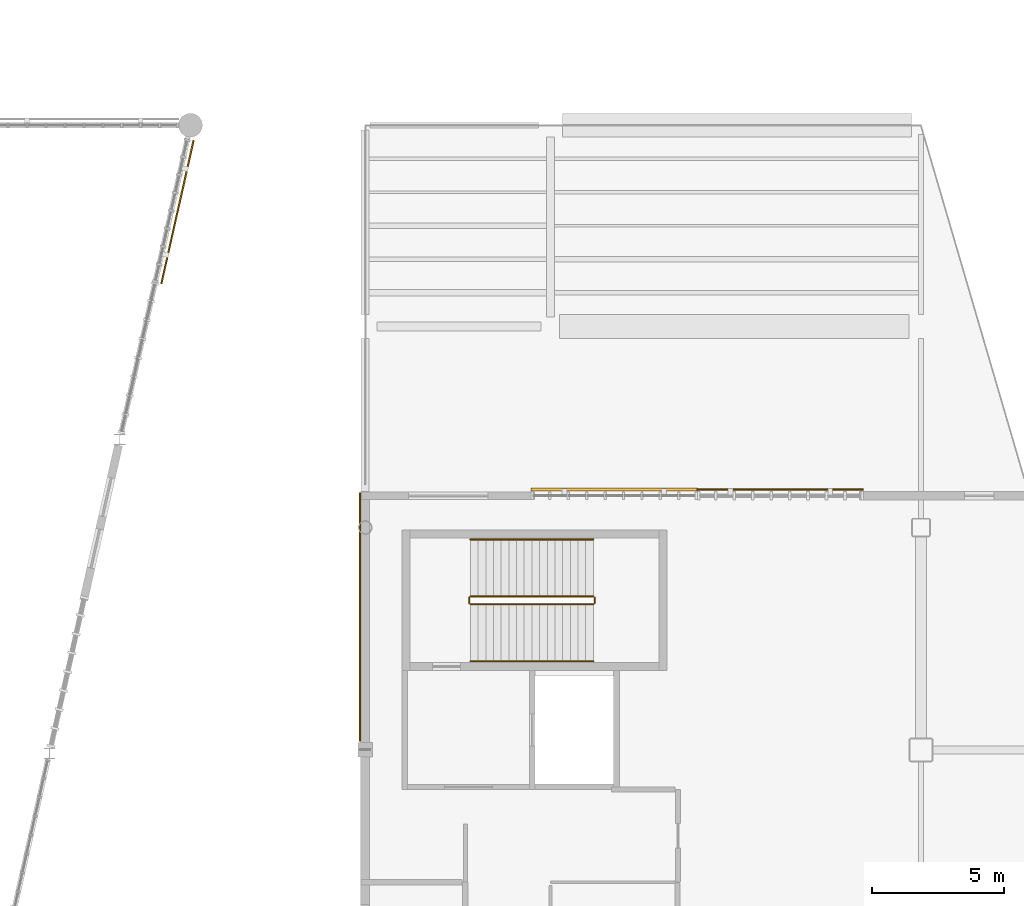
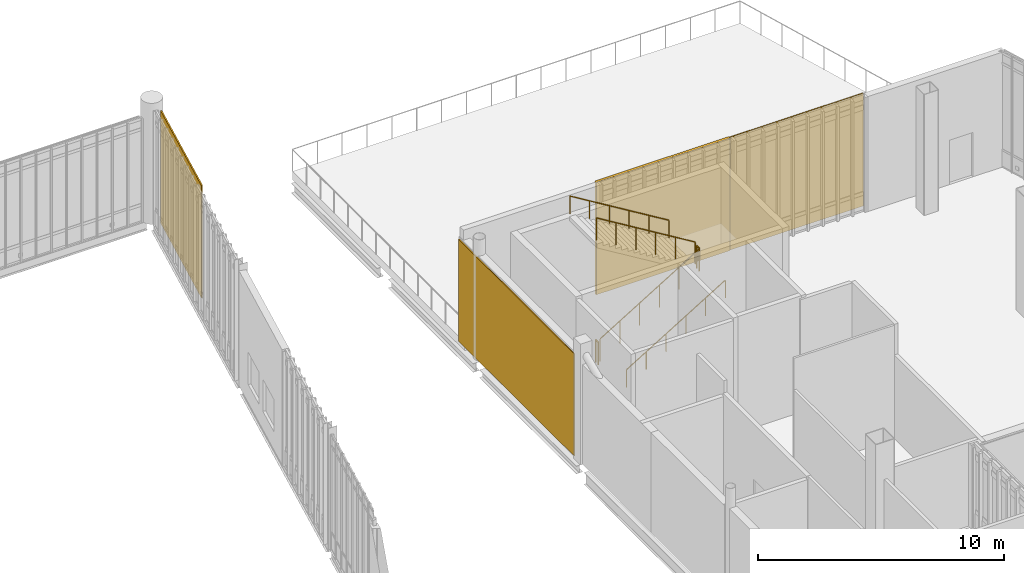
# One storey, part 132 of 135: 6 railings, 3 shading devices, 1 covering.
"""IFC4 building model written with IfcOpenShell, lengths in metres."""

from ifc_helpers import new_model, si_unit, direction, frame, origin, origin_2d, place, context, subcontext, project, spatial, rectangle, circle, extrude, material, layer, layer_set, type_object, element, save


model = new_model("IFC4")

# Units and contexts
model_context = context("Model", 3, precision=1e-05, world=origin(), true_north=direction((0.0, 1.0)))
body_context = subcontext(model_context, "Body", "Model", "MODEL_VIEW")
ifc_project = project(units=[si_unit("LENGTHUNIT", "METRE"), si_unit("AREAUNIT", "SQUARE_METRE"), si_unit("VOLUMEUNIT", "CUBIC_METRE"), si_unit("PLANEANGLEUNIT", "RADIAN"), si_unit("MASSUNIT", "GRAM", prefix="KILO")], contexts=[model_context])

# Site, building, storey
site_placement = place(None, origin())
site = spatial("IfcSite", under=ifc_project, at=site_placement, CompositionType="ELEMENT")
building_placement = place(site_placement, origin())
building = spatial("IfcBuilding", under=site, at=building_placement, Name="Larkvane Passage Sports Hall", CompositionType="ELEMENT")
storey_placement = place(building_placement, frame((0.0, 0.0, 10.800048828125)))
storey = spatial("IfcBuildingStorey", under=building, at=storey_placement, Name="L02", CompositionType="ELEMENT", Elevation=10.800048828125)

# Covering
ifc_material_1 = material(Name="Perforated anodised aluminium 5052-H32", Category="aluminium")
ifc_layer_1 = layer(ifc_material_1, 0.050048828125)
ifc_layer_set_1 = layer_set([ifc_layer_1], Name="Perforated anodised aluminium 5052-H32")
covering_type = type_object("IfcCoveringType", Name="COV-MESH-VEIL", PredefinedType="CLADDING", material=ifc_layer_set_1)
covering_placement = place(storey_placement, frame((124.402587890625, 80.618408203125, 0.074951171875), z_axis=(0.0, 0.0, 1.0), x_axis=(0.0, 1.0, 0.0)))
element("IfcCovering", 1, at=covering_placement, inside=storey, type_object=covering_type, Name="Perforated cladding cassette L02-112", PredefinedType="CLADDING", context=body_context, shape_type="SweptSolid", body=[
    extrude(rectangle(XDim=9.39453125, YDim=0.050048828125, at=origin_2d()), origin(), (0.0, 0.0, 1.0), 5.05810546875),
])

# Railings
ifc_material_2 = material(Name="Steel S355JR", Category="steel")
railing_type_1 = type_object("IfcRailingType", Name="RL-GUARD-1120", PredefinedType="GUARDRAIL", material=ifc_material_2)
railing_1_placement = place(storey_placement, frame((128.580078125, 81.10009765625, 0.176513671875)))
element("IfcRailing", 2, at=railing_1_placement, inside=storey, type_object=railing_type_1, Name="L02 ST-06 stair guard 1", PredefinedType="GUARDRAIL", context=body_context, shape_type="SweptSolid", body=[
    extrude(circle(Radius=0.02392578125, at=origin_2d()), frame((0.001708984375, 0.0, 1.09716796875), z_axis=(0.854263648073, 0.0, 0.51983999421), x_axis=(0.0, 1.0, 0.0)), (0.0, 0.0, 1.0), 5.427490234375),
    extrude(circle(Radius=0.02099609375, at=origin_2d()), origin(), (0.0, 0.0, 1.0), 1.072021484375),
    extrude(circle(Radius=0.02099609375, at=origin_2d()), frame((0.927978515625, 0.0, 0.564697265625)), (0.0, 0.0, 1.0), 1.072021484375),
    extrude(circle(Radius=0.02099609375, at=origin_2d()), frame((1.85595703125, 0.0, 1.12939453125)), (0.0, 0.0, 1.0), 1.072021484375),
    extrude(circle(Radius=0.02099609375, at=origin_2d()), frame((2.783935546875, 0.0, 1.694091796875)), (0.0, 0.0, 1.0), 1.072021484375),
    extrude(circle(Radius=0.02099609375, at=origin_2d()), frame((3.7119140625, 0.0, 2.2587890625)), (0.0, 0.0, 1.0), 1.072021484375),
    extrude(circle(Radius=0.02099609375, at=origin_2d()), frame((4.639892578125, 0.0, 2.823486328125)), (0.0, 0.0, 1.0), 1.072021484375),
])
railing_2_placement = place(storey_placement, frame((133.27001953125, 81.14990234375, 3.0)))
element("IfcRailing", 3, at=railing_2_placement, inside=storey, type_object=railing_type_1, Name="L02 ST-06 stair guard 2", PredefinedType="GUARDRAIL", context=body_context, shape_type="SweptSolid", body=[
    extrude(circle(Radius=0.02392578125, at=origin_2d()), frame((0.0, 0.001953125, 1.09619140625), z_axis=(0.0, 1.0, 0.0), x_axis=(-1.0, 0.0, 0.0)), (0.0, 0.0, 1.0), 0.1962890625),
    extrude(circle(Radius=0.02099609375, at=origin_2d()), origin(), (0.0, 0.0, 1.0), 1.072021484375),
    extrude(circle(Radius=0.02099609375, at=origin_2d()), frame((0.0, 0.2001953125, 0.0)), (0.0, 0.0, 1.0), 1.072021484375),
])
railing_3_placement = place(storey_placement, frame((133.219970703125, 81.39990234375, 3.176513671875)))
element("IfcRailing", 4, at=railing_3_placement, inside=storey, type_object=railing_type_1, Name="L02 ST-06 stair guard 3", PredefinedType="GUARDRAIL", context=body_context, shape_type="SweptSolid", body=[
    extrude(circle(Radius=0.02392578125, at=origin_2d()), frame((-0.001708984375, 0.0, 1.09716796875), z_axis=(-0.854263648073, 0.0, 0.51983999421), x_axis=(0.0, -1.0, 0.0)), (0.0, 0.0, 1.0), 5.427490234375),
    extrude(circle(Radius=0.02099609375, at=origin_2d()), origin(), (0.0, 0.0, 1.0), 1.072021484375),
    extrude(circle(Radius=0.02099609375, at=origin_2d()), frame((-0.927978515625, 0.0, 0.564697265625)), (0.0, 0.0, 1.0), 1.072021484375),
    extrude(circle(Radius=0.02099609375, at=origin_2d()), frame((-1.85595703125, 0.0, 1.12939453125)), (0.0, 0.0, 1.0), 1.072021484375),
    extrude(circle(Radius=0.02099609375, at=origin_2d()), frame((-2.783935546875, 0.0, 1.694091796875)), (0.0, 0.0, 1.0), 1.072021484375),
    extrude(circle(Radius=0.02099609375, at=origin_2d()), frame((-3.7119140625, 0.0, 2.2587890625)), (0.0, 0.0, 1.0), 1.072021484375),
    extrude(circle(Radius=0.02099609375, at=origin_2d()), frame((-4.639892578125, 0.0, 2.823486328125)), (0.0, 0.0, 1.0), 1.072021484375),
])
railing_4_placement = place(storey_placement, frame((128.530029296875, 81.14990234375, 0.0)))
element("IfcRailing", 5, at=railing_4_placement, inside=storey, type_object=railing_type_1, Name="L02 ST-06 stair guard 4", PredefinedType="GUARDRAIL", context=body_context, shape_type="SweptSolid", body=[
    extrude(circle(Radius=0.02392578125, at=origin_2d()), frame((0.0, 0.001953125, 1.09619140625), z_axis=(0.0, 1.0, 0.0), x_axis=(-1.0, 0.0, 0.0)), (0.0, 0.0, 1.0), 0.1962890625),
    extrude(circle(Radius=0.02099609375, at=origin_2d()), origin(), (0.0, 0.0, 1.0), 1.072021484375),
    extrude(circle(Radius=0.02099609375, at=origin_2d()), frame((0.0, 0.2001953125, 0.0)), (0.0, 0.0, 1.0), 1.072021484375),
])
ifc_material_3 = material(Name="Stainless steel S355JR", Category="steel")
railing_type_2 = type_object("IfcRailingType", Name="RL-HAND-920", PredefinedType="HANDRAIL", material=ifc_material_3)
railing_5_placement = place(storey_placement, frame((128.580078125, 78.949951171875, 0.176513671875)))
element("IfcRailing", 6, at=railing_5_placement, inside=storey, type_object=railing_type_2, Name="L02 ST-06 stair handrail 1", PredefinedType="HANDRAIL", context=body_context, shape_type="SweptSolid", body=[
    extrude(circle(Radius=0.02392578125, at=origin_2d()), frame((0.001708984375, 0.0, 0.876953125), z_axis=(0.854263648073, 0.0, 0.51983999421), x_axis=(0.0, 1.0, 0.0)), (0.0, 0.0, 1.0), 5.427490234375),
    extrude(circle(Radius=0.02099609375, at=origin_2d()), origin(), (0.0, 0.0, 1.0), 0.851806640625),
    extrude(circle(Radius=0.02099609375, at=origin_2d()), frame((0.927978515625, 0.0, 0.564697265625)), (0.0, 0.0, 1.0), 0.851806640625),
    extrude(circle(Radius=0.02099609375, at=origin_2d()), frame((1.85595703125, 0.0, 1.12939453125)), (0.0, 0.0, 1.0), 0.851806640625),
    extrude(circle(Radius=0.02099609375, at=origin_2d()), frame((2.783935546875, 0.0, 1.694091796875)), (0.0, 0.0, 1.0), 0.851806640625),
    extrude(circle(Radius=0.02099609375, at=origin_2d()), frame((3.7119140625, 0.0, 2.2587890625)), (0.0, 0.0, 1.0), 0.851806640625),
    extrude(circle(Radius=0.02099609375, at=origin_2d()), frame((4.639892578125, 0.0, 2.823486328125)), (0.0, 0.0, 1.0), 0.851806640625),
])
railing_6_placement = place(storey_placement, frame((133.219970703125, 83.550048828125, 3.176513671875)))
element("IfcRailing", 7, at=railing_6_placement, inside=storey, type_object=railing_type_2, Name="L02 ST-06 stair handrail 2", PredefinedType="HANDRAIL", context=body_context, shape_type="SweptSolid", body=[
    extrude(circle(Radius=0.02392578125, at=origin_2d()), frame((-0.001708984375, 0.0, 0.876953125), z_axis=(-0.854263648073, 0.0, 0.51983999421), x_axis=(0.0, -1.0, 0.0)), (0.0, 0.0, 1.0), 5.427490234375),
    extrude(circle(Radius=0.02099609375, at=origin_2d()), origin(), (0.0, 0.0, 1.0), 0.851806640625),
    extrude(circle(Radius=0.02099609375, at=origin_2d()), frame((-0.927978515625, 0.0, 0.564697265625)), (0.0, 0.0, 1.0), 0.851806640625),
    extrude(circle(Radius=0.02099609375, at=origin_2d()), frame((-1.85595703125, 0.0, 1.12939453125)), (0.0, 0.0, 1.0), 0.851806640625),
    extrude(circle(Radius=0.02099609375, at=origin_2d()), frame((-2.783935546875, 0.0, 1.694091796875)), (0.0, 0.0, 1.0), 0.851806640625),
    extrude(circle(Radius=0.02099609375, at=origin_2d()), frame((-3.7119140625, 0.0, 2.2587890625)), (0.0, 0.0, 1.0), 0.851806640625),
    extrude(circle(Radius=0.02099609375, at=origin_2d()), frame((-4.639892578125, 0.0, 2.823486328125)), (0.0, 0.0, 1.0), 0.851806640625),
])

# Shading devices
ifc_material_4 = material(Name="Extruded aluminium 6063-T6", Category="aluminium")
ifc_layer_2 = layer(ifc_material_4, 0.1201171875)
ifc_layer_set_2 = layer_set([ifc_layer_2], Name="Extruded aluminium 6063-T6")
shading_device_type_1 = type_object("IfcShadingDeviceType", Name="SHD-LOUVRE-STORM", PredefinedType="JALOUSIE", material=ifc_layer_set_2)
shading_device_1_placement = place(storey_placement, frame((134.012451171875, 85.43994140625, 0.059814453125), z_axis=(0.0, 0.0, 1.0), x_axis=(1.0, 0.0, 0.0)))
element("IfcShadingDevice", 8, at=shading_device_1_placement, inside=storey, type_object=shading_device_type_1, Name="Solar veil screen L02-045", PredefinedType="JALOUSIE", context=body_context, shape_type="SweptSolid", body=[
    extrude(rectangle(XDim=6.27490234375, YDim=0.1201171875, at=origin_2d()), origin(), (0.0, 0.0, 1.0), 5.580078125),
])
ifc_layer_3 = layer(ifc_material_1, 0.06005859375)
ifc_layer_set_3 = layer_set([ifc_layer_3], Name="Perforated anodised aluminium 5052-H32")
shading_device_type_2 = type_object("IfcShadingDeviceType", Name="SHD-VEIL-PERF", PredefinedType="SHUTTER", material=ifc_layer_set_3)
shading_device_2_placement = place(storey_placement, frame((140.28759765625, 85.43994140625, 0.059814453125), z_axis=(0.0, 0.0, 1.0), x_axis=(1.0, 0.0, 0.0)))
element("IfcShadingDevice", 9, at=shading_device_2_placement, inside=storey, type_object=shading_device_type_2, Name="Solar veil screen L02-046", PredefinedType="SHUTTER", context=body_context, shape_type="SweptSolid", body=[
    extrude(rectangle(XDim=6.27490234375, YDim=0.06005859375, at=origin_2d()), origin(), (0.0, 0.0, 1.0), 5.580078125),
])
shading_device_3_placement = place(storey_placement, frame((117.5087890625, 95.91943359375, 0.059814453125), z_axis=(0.0, 0.0, 1.0), x_axis=(-0.21925132906, -0.975668414322, 0.0)))
element("IfcShadingDevice", 10, at=shading_device_3_placement, inside=storey, type_object=shading_device_type_2, Name="Solar veil screen L02-059", PredefinedType="SHUTTER", context=body_context, shape_type="SweptSolid", body=[
    extrude(rectangle(XDim=5.549560546875, YDim=0.06005859375, at=origin_2d()), origin(), (0.0, 0.0, 1.0), 5.580078125),
])

save(model, "model.ifc")
